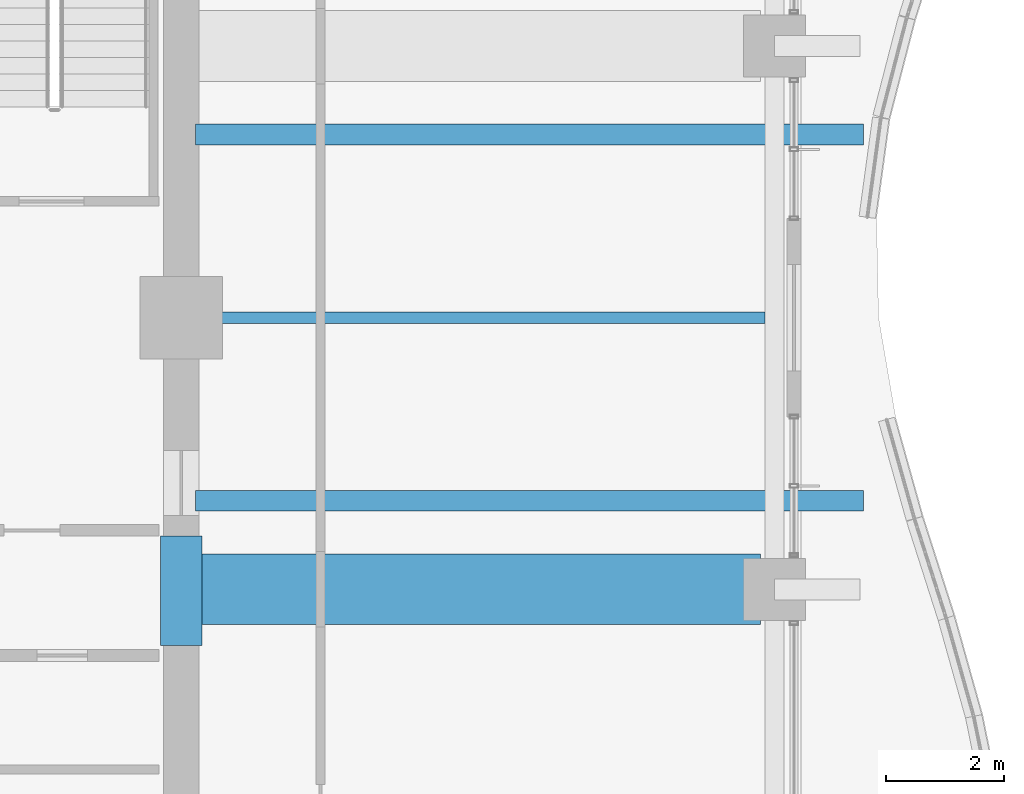
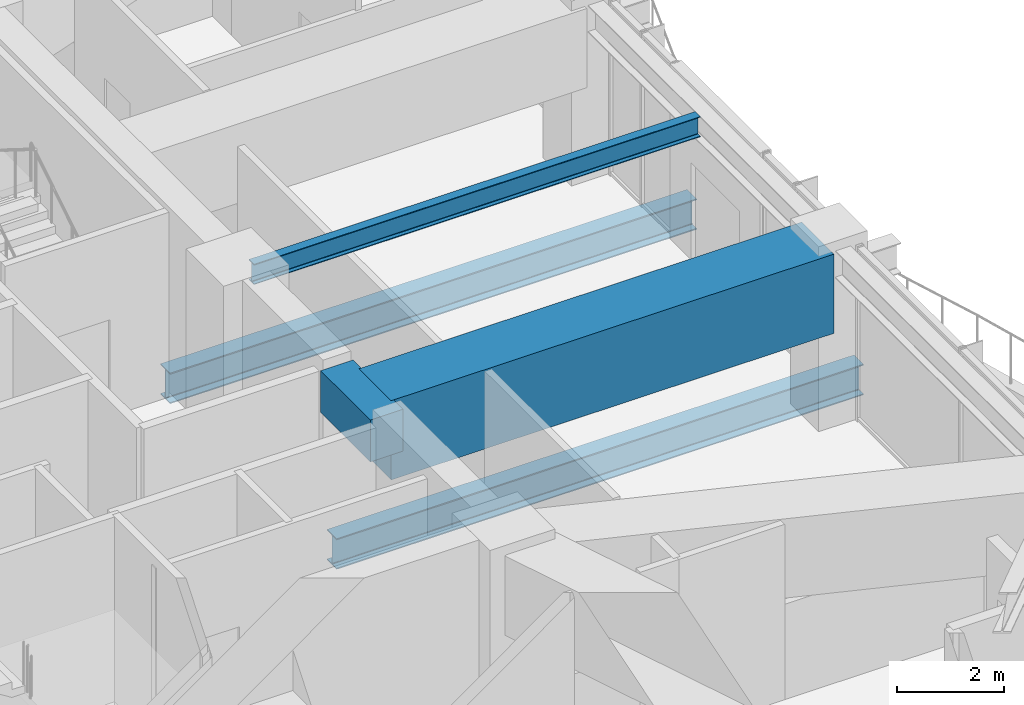
# One storey, part 16 of 40: 5 beams.
"""IFC4 building model written with IfcOpenShell, lengths in metres."""

from ifc_helpers import new_model, si_unit, direction, frame, origin, origin_2d, place, context, subcontext, project, spatial, rectangle, i_section, extrude, material, material_profile, profile_set, type_object, element, save


model = new_model("IFC4")

# Units and contexts
model_context = context("Model", 3, precision=1e-05, world=origin(), true_north=direction((0.0, 1.0)))
body_context = subcontext(model_context, "Body", "Model", "MODEL_VIEW")
ifc_project = project(units=[si_unit("LENGTHUNIT", "METRE"), si_unit("AREAUNIT", "SQUARE_METRE"), si_unit("VOLUMEUNIT", "CUBIC_METRE"), si_unit("PLANEANGLEUNIT", "RADIAN"), si_unit("MASSUNIT", "GRAM", prefix="KILO")], contexts=[model_context])

# Site, building, storey
site_placement = place(None, origin())
site = spatial("IfcSite", under=ifc_project, at=site_placement, CompositionType="ELEMENT")
building_placement = place(site_placement, origin())
building = spatial("IfcBuilding", under=site, at=building_placement, Name="Kolvaren Belvedere", CompositionType="ELEMENT")
storey_placement = place(building_placement, frame((0.0, 0.0, 68.0)))
storey = spatial("IfcBuildingStorey", under=building, at=storey_placement, Name="L19", CompositionType="ELEMENT", Elevation=68.0)

# Beams
ifc_material_1 = material(Name="Structural steel ASTM A992 Grade 50", Category="steel")
ifc_material_profile_1 = material_profile(ifc_material_1, i_section(OverallWidth=0.35498046875, OverallDepth=0.696044921875, WebThickness=0.015380859375, FlangeThickness=0.02490234375, FilletRadius=0.02197265625, at=origin_2d()), Name="W27X146")
ifc_profile_set_1 = profile_set([ifc_material_profile_1], Name="Structural steel ASTM A992 Grade 50")
beam_type_1 = type_object("IfcBeamType", Name="BM-GIRD-W27X146", PredefinedType="BEAM", material=ifc_profile_set_1)
for number, where, z_axis, x_axis, name in (
    (1, (10.139892578125, -3.10009765625, -0.64794921875), (1.0, 0.0, 0.0), (0.0, 1.0, 0.0), "L19 Balcony Interior Back-Span Girder BAL-E-1"),
    (2, (10.139892578125, 3.10009765625, -0.64794921875), (1.0, 0.0, 0.0), (0.0, 1.0, 0.0), "L19 Balcony Interior Back-Span Girder BAL-E-2"),
):
    element("IfcBeam", number, at=place(storey_placement, frame(where, z_axis=z_axis, x_axis=x_axis)), inside=storey, type_object=beam_type_1, Name=name, PredefinedType="BEAM", context=body_context, shape_type="SweptSolid", body=[
        extrude(i_section(OverallWidth=0.35498046875, OverallDepth=0.696044921875, WebThickness=0.015380859375, FlangeThickness=0.02490234375, FilletRadius=0.02197265625, at=origin_2d()), origin(), (0.0, 0.0, 1.0), 11.315185546875),
    ])
ifc_material_2 = material(Name="Structural steel ASTM A992 Grade 50", Category="steel")
ifc_material_profile_2 = material_profile(ifc_material_2, i_section(OverallWidth=0.19091796875, OverallDepth=0.4599609375, WebThickness=0.010009765625, FlangeThickness=0.01611328125, FilletRadius=0.014892578125, at=origin_2d()), Name="W18X55")
ifc_profile_set_2 = profile_set([ifc_material_profile_2], Name="Structural steel ASTM A992 Grade 50")
beam_type_2 = type_object("IfcBeamType", Name="BM-JOIST-W18X55", PredefinedType="BEAM", material=ifc_profile_set_2)
beam_1_placement = place(storey_placement, frame((10.199951171875, 0.0, 3.75), z_axis=(1.0, 0.0, 0.0), x_axis=(0.0, 1.0, 0.0)))
element("IfcBeam", 3, at=beam_1_placement, inside=storey, type_object=beam_type_2, Name="L19 East Centre Floor Beam", PredefinedType="BEAM", context=body_context, shape_type="SweptSolid", body=[
    extrude(i_section(OverallWidth=0.19091796875, OverallDepth=0.4599609375, WebThickness=0.010009765625, FlangeThickness=0.01611328125, FilletRadius=0.014892578125, at=origin_2d()), origin(), (0.0, 0.0, 1.0), 9.587646484375),
])
ifc_material_3 = material(Name="Concrete C60/75", Category="concrete")
ifc_material_profile_3 = material_profile(ifc_material_3, rectangle(XDim=0.699951171875, YDim=0.949951171875, at=origin_2d()), Name="RC 700X950")
ifc_profile_set_3 = profile_set([ifc_material_profile_3], Name="Concrete C60/75")
beam_type_3 = type_object("IfcBeamType", Name="BM-LINT-950", PredefinedType="LINTEL", material=ifc_profile_set_3)
beam_2_placement = place(storey_placement, frame((9.89990234375, -5.550048828125, 3.5048828125), z_axis=(0.0, 1.0, 0.0), x_axis=(-1.0, 0.0, 0.0)))
element("IfcBeam", 4, at=beam_2_placement, inside=storey, type_object=beam_type_3, Name="L19 East Core Coupling Lintel", PredefinedType="LINTEL", context=body_context, shape_type="SweptSolid", body=[
    extrude(rectangle(XDim=0.699951171875, YDim=0.949951171875, at=origin_2d()), origin(), (0.0, 0.0, 1.0), 1.85009765625),
])
ifc_material_4 = material(Name="Concrete C50/60", Category="concrete")
ifc_material_profile_4 = material_profile(ifc_material_4, rectangle(XDim=1.199951171875, YDim=1.800048828125, at=origin_2d()), Name="RC 1200X1800")
ifc_profile_set_4 = profile_set([ifc_material_profile_4], Name="Concrete C50/60")
beam_type_4 = type_object("IfcBeamType", Name="BM-TG-1800", PredefinedType="BEAM", material=ifc_profile_set_4)
beam_3_placement = place(storey_placement, frame((10.199951171875, -4.60009765625, 3.080078125), z_axis=(1.0, 0.0, 0.0), x_axis=(0.0, 1.0, 0.0)))
element("IfcBeam", 5, at=beam_3_placement, inside=storey, type_object=beam_type_4, Name="L19 East Radial Girder M", PredefinedType="BEAM", context=body_context, shape_type="SweptSolid", body=[
    extrude(rectangle(XDim=1.199951171875, YDim=1.800048828125, at=origin_2d()), origin(), (0.0, 0.0, 1.0), 9.513916015625),
])

save(model, "model.ifc")
